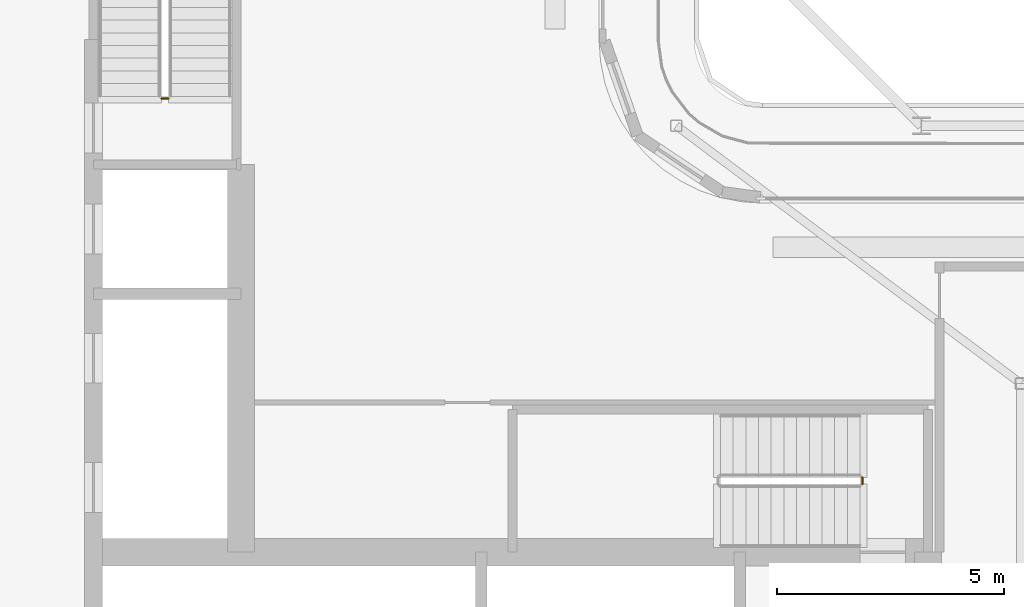
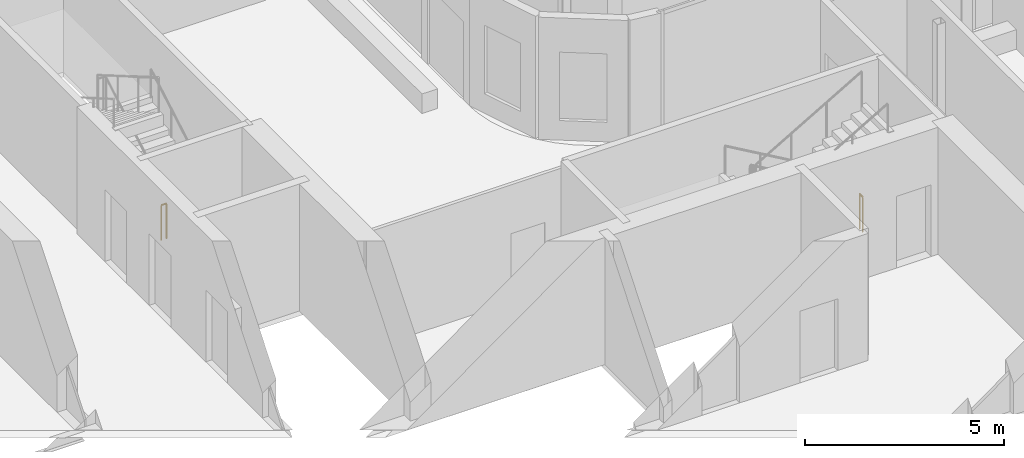
# One storey, part 17 of 21: 2 railings.
"""IFC4 building model written with IfcOpenShell, lengths in metres."""

import ifcopenshell
import ifcopenshell.guid

model = None  # the IFC model being written
_history = None  # IfcOwnerHistory: only IFC2X3 demands one
_inside = {}  # id of a spatial element -> (the spatial element, [elements in it])
_under = {}  # id of a project, library or spatial element -> (it, [spatial elements below it])
_declared = {}  # id of a project -> (the project, [libraries it declares])
_typed = {}  # id of a type object -> (the type object, [elements of that type])
_made_of = {}  # id of a material, layer set ... -> (it, [elements and type objects made of it])


def new_model(schema):
    """Start an empty IFC model of exactly this schema.

    Asked for "IFC4X3", IfcOpenShell would pick the latest addendum, in which some entities
    have other attributes; the version numbers below select the first issue.
    IFC2X3 requires an IfcOwnerHistory on every rooted entity: one is made here for all.
    """
    global model, _history
    if schema == "IFC4X3":
        model = ifcopenshell.file(schema_version=(4, 3, 0, 0))
    else:
        model = ifcopenshell.file(schema=schema)
    _inside.clear()
    _under.clear()
    _declared.clear()
    _typed.clear()
    _made_of.clear()
    _history = None
    if model.schema == "IFC2X3":
        org = make("IfcOrganization", Name="unknown")
        user = make(
            "IfcPersonAndOrganization",
            ThePerson=make("IfcPerson", FamilyName="unknown"),
            TheOrganization=org,
        )
        app = make(
            "IfcApplication",
            ApplicationDeveloper=org,
            Version="unknown",
            ApplicationFullName="unknown",
            ApplicationIdentifier="unknown",
        )
        _history = make(
            "IfcOwnerHistory",
            OwningUser=user,
            OwningApplication=app,
            ChangeAction="ADDED",
            CreationDate=0,
        )
    return model


def make(cls, **values):
    """One entity of the class cls with the attributes given. An attribute that is None is left unset."""
    return model.create_entity(
        cls, **{name: value for name, value in values.items() if value is not None}
    )


def rooted(cls, **values):
    """An entity with a GlobalId (a new one), such as an element, a storey or a relation."""
    return make(cls, GlobalId=ifcopenshell.guid.new(), OwnerHistory=_history, **values)


def si_unit(unit_type, name, prefix=None):
    """IfcSIUnit, for example si_unit("LENGTHUNIT", "METRE", prefix="MILLI")."""
    return make("IfcSIUnit", UnitType=unit_type, Prefix=prefix, Name=name)


def assignment(units):
    """IfcUnitAssignment: the units of a project."""
    return None if units is None else make("IfcUnitAssignment", Units=units)


def point(xyz):
    """IfcCartesianPoint."""
    return None if xyz is None else make("IfcCartesianPoint", Coordinates=xyz)


def direction(xyz):
    """IfcDirection."""
    return None if xyz is None else make("IfcDirection", DirectionRatios=xyz)


def frame(location, z_axis=None, x_axis=None):
    """IfcAxis2Placement3D, a coordinate frame: its origin and axes. An axis left out is left unset."""
    return make(
        "IfcAxis2Placement3D",
        Location=point(location),
        Axis=direction(z_axis),
        RefDirection=direction(x_axis),
    )


def frame_2d(location, x_axis=None):
    """IfcAxis2Placement2D, a coordinate frame in the plane: its origin and x axis."""
    return make(
        "IfcAxis2Placement2D", Location=point(location), RefDirection=direction(x_axis)
    )


def origin():
    """The frame at (0, 0, 0) with its axes left unset."""
    return frame((0.0, 0.0, 0.0))


def origin_2d():
    """The frame at (0, 0) in the plane with its x axis left unset."""
    return frame_2d((0.0, 0.0))


def place(relative_to, where):
    """IfcLocalPlacement: puts the frame where relative to a parent placement (None: the world)."""
    return make(
        "IfcLocalPlacement", PlacementRelTo=relative_to, RelativePlacement=where
    )


def context(
    kind, dimensions, precision=None, world=None, true_north=None, identifier=None
):
    """IfcGeometricRepresentationContext, for example the 3D "Model" context."""
    return make(
        "IfcGeometricRepresentationContext",
        ContextIdentifier=identifier,
        ContextType=kind,
        CoordinateSpaceDimension=dimensions,
        Precision=precision,
        WorldCoordinateSystem=world,
        TrueNorth=true_north,
    )


def subcontext(parent, identifier, kind, view, scale=None):
    """IfcGeometricRepresentationSubContext, for example "Body" below "Model"."""
    return make(
        "IfcGeometricRepresentationSubContext",
        ContextIdentifier=identifier,
        ContextType=kind,
        ParentContext=parent,
        TargetScale=scale,
        TargetView=view,
    )


def project(units=None, contexts=None):
    """IfcProject with its units and contexts."""
    return rooted(
        "IfcProject",
        Name="project",
        RepresentationContexts=contexts,
        UnitsInContext=assignment(units),
    )


def spatial(cls, under=None, at=None, **own):
    """A site, building, storey or space (cls), placed at a placement, below another one or the project."""
    s = rooted(cls, ObjectPlacement=at, **own)
    if under is not None:
        _under.setdefault(under.id(), (under, []))[1].append(s)
    return s


def profile(cls, at=None, kind="AREA", **sizes):
    """A parametric profile (cls). Its sizes go by their IFC names, for example OverallWidth=200.0."""
    return make(cls, ProfileType=kind, Position=at, **sizes)


def circle(**sizes):
    """IfcCircleProfileDef."""
    return profile("IfcCircleProfileDef", **sizes)


def extrude(swept, where, along, depth):
    """IfcExtrudedAreaSolid: the profile swept, set in the frame where, extruded along a direction by depth."""
    return make(
        "IfcExtrudedAreaSolid",
        SweptArea=swept,
        Position=where,
        ExtrudedDirection=direction(along),
        Depth=depth,
    )


def shape(context_of_items, identifier, shape_type, items):
    """IfcShapeRepresentation: the items that make up one representation, for example the "Body"."""
    return make(
        "IfcShapeRepresentation",
        ContextOfItems=context_of_items,
        RepresentationIdentifier=identifier,
        RepresentationType=shape_type,
        Items=items,
    )


def material(Name=None, Category=None):
    """IfcMaterial."""
    return make("IfcMaterial", Name=Name, Category=Category)


def made_of(thing, what):
    """Note that an element or type object is made of a material, layer set ...; save() writes the relation."""
    if what is not None:
        _made_of.setdefault(what.id(), (what, []))[1].append(thing)
    return thing


def type_object(cls, material=None, **own):
    """A type object (cls), such as IfcWallType, which elements share."""
    return made_of(rooted(cls, **own), material)


def element(
    cls,
    number,
    at=None,
    inside=None,
    cuts=None,
    type_object=None,
    material=None,
    context=None,
    identifier="Body",
    shape_type=None,
    held_by="IfcProductDefinitionShape",
    body=None,
    shapes=None,
    **own,
):
    """One element of the class cls, such as IfcWall. Its Tag is "e" and its number.

    at: its placement. inside: the storey or other place that contains it. cuts: it is an
    opening in that element (IfcRelVoidsElement). A single representation is given by context,
    identifier, shape_type and body (its items); several are given by shapes. held_by: the class
    of the entity that holds the representations. save() writes the other relations.
    """
    e = rooted(cls, Tag="e%d" % number, ObjectPlacement=at, **own)
    if body is not None:
        shapes = [shape(context, identifier, shape_type, body)]
    if shapes is not None:
        e.Representation = make(held_by, Representations=shapes)
    if inside is not None:
        _inside.setdefault(inside.id(), (inside, []))[1].append(e)
    if cuts is not None:
        rooted(
            "IfcRelVoidsElement", RelatingBuildingElement=cuts, RelatedOpeningElement=e
        )
    if type_object is not None:
        _typed.setdefault(type_object.id(), (type_object, []))[1].append(e)
    return made_of(e, material)


def aggregate(whole, parts):
    """IfcRelAggregates: a whole, such as a stair, and the parts it consists of."""
    return rooted("IfcRelAggregates", RelatingObject=whole, RelatedObjects=parts)


def save(model, path):
    """Write the relations noted so far, then the file.

    IfcRelAggregates (storeys below a building ...), IfcRelContainedInSpatialStructure (elements
    in a storey), IfcRelDefinesByType, IfcRelAssociatesMaterial and IfcRelDeclares: one each for
    every whole, place, type object, material and project.
    """
    for whole, parts in _under.values():
        aggregate(whole, parts)
    for where, things in _inside.values():
        rooted(
            "IfcRelContainedInSpatialStructure",
            RelatedElements=things,
            RelatingStructure=where,
        )
    for kind, things in _typed.values():
        rooted("IfcRelDefinesByType", RelatedObjects=things, RelatingType=kind)
    for what, things in _made_of.values():
        rooted("IfcRelAssociatesMaterial", RelatedObjects=things, RelatingMaterial=what)
    for by, libraries in _declared.values():
        rooted("IfcRelDeclares", RelatingContext=by, RelatedDefinitions=libraries)
    model.write(path)


model = new_model("IFC4")

# Units and contexts
model_context = context("Model", 3, precision=1e-05, world=origin(), true_north=direction((0.0, 1.0)))
body_context = subcontext(model_context, "Body", "Model", "MODEL_VIEW")
ifc_project = project(units=[si_unit("LENGTHUNIT", "METRE"), si_unit("AREAUNIT", "SQUARE_METRE"), si_unit("VOLUMEUNIT", "CUBIC_METRE"), si_unit("PLANEANGLEUNIT", "RADIAN"), si_unit("MASSUNIT", "GRAM", prefix="KILO")], contexts=[model_context])

# Site, building, storey
site_placement = place(None, origin())
site = spatial("IfcSite", under=ifc_project, at=site_placement, CompositionType="ELEMENT")
building_placement = place(site_placement, origin())
building = spatial("IfcBuilding", under=site, at=building_placement, Name="Kheshtan School and Residences Tower", CompositionType="ELEMENT")
storey_placement = place(building_placement, frame((0.0, 0.0, 298.10009765625)))
storey = spatial("IfcBuildingStorey", under=building, at=storey_placement, Name="L70", CompositionType="ELEMENT", Elevation=298.10009765625)

# Railings
ifc_material = material(Name="Stainless steel balustrade", Category="steel")
railing_type = type_object("IfcRailingType", Name="Stair guard 1100", PredefinedType="GUARDRAIL", material=ifc_material)
railing_1_placement = place(storey_placement, frame((51.699951171875, 37.85009765625, 0.0)))
element("IfcRailing", 1, at=railing_1_placement, inside=storey, type_object=railing_type, Name="L70 ST1 stair guard 2", PredefinedType="GUARDRAIL", context=body_context, shape_type="SweptSolid", body=[
    extrude(circle(Radius=0.02392578125, at=origin_2d()), frame((0.0, 0.0, 1.076171875), z_axis=(0.0, -1.0, 0.0), x_axis=(1.0, 0.0, 0.0)), (0.0, 0.0, 1.0), 0.150146484375),
    extrude(circle(Radius=0.02099609375, at=origin_2d()), origin(), (0.0, 0.0, 1.0), 1.052001953125),
    extrude(circle(Radius=0.02099609375, at=origin_2d()), frame((0.0, -0.150146484375, 0.0)), (0.0, 0.0, 1.0), 1.052001953125),
])
railing_2_placement = place(storey_placement, frame((36.39990234375, 46.199951171875, 0.0)))
element("IfcRailing", 2, at=railing_2_placement, inside=storey, type_object=railing_type, Name="L70 ST2 stair guard 2", PredefinedType="GUARDRAIL", context=body_context, shape_type="SweptSolid", body=[
    extrude(circle(Radius=0.02392578125, at=origin_2d()), frame((0.0, 0.0, 1.076171875), z_axis=(-1.0, 0.0, 0.0), x_axis=(0.0, -1.0, 0.0)), (0.0, 0.0, 1.0), 0.14990234375),
    extrude(circle(Radius=0.02099609375, at=origin_2d()), origin(), (0.0, 0.0, 1.0), 1.052001953125),
    extrude(circle(Radius=0.02099609375, at=origin_2d()), frame((-0.14990234375, 0.0, 0.0)), (0.0, 0.0, 1.0), 1.052001953125),
])

save(model, "model.ifc")
